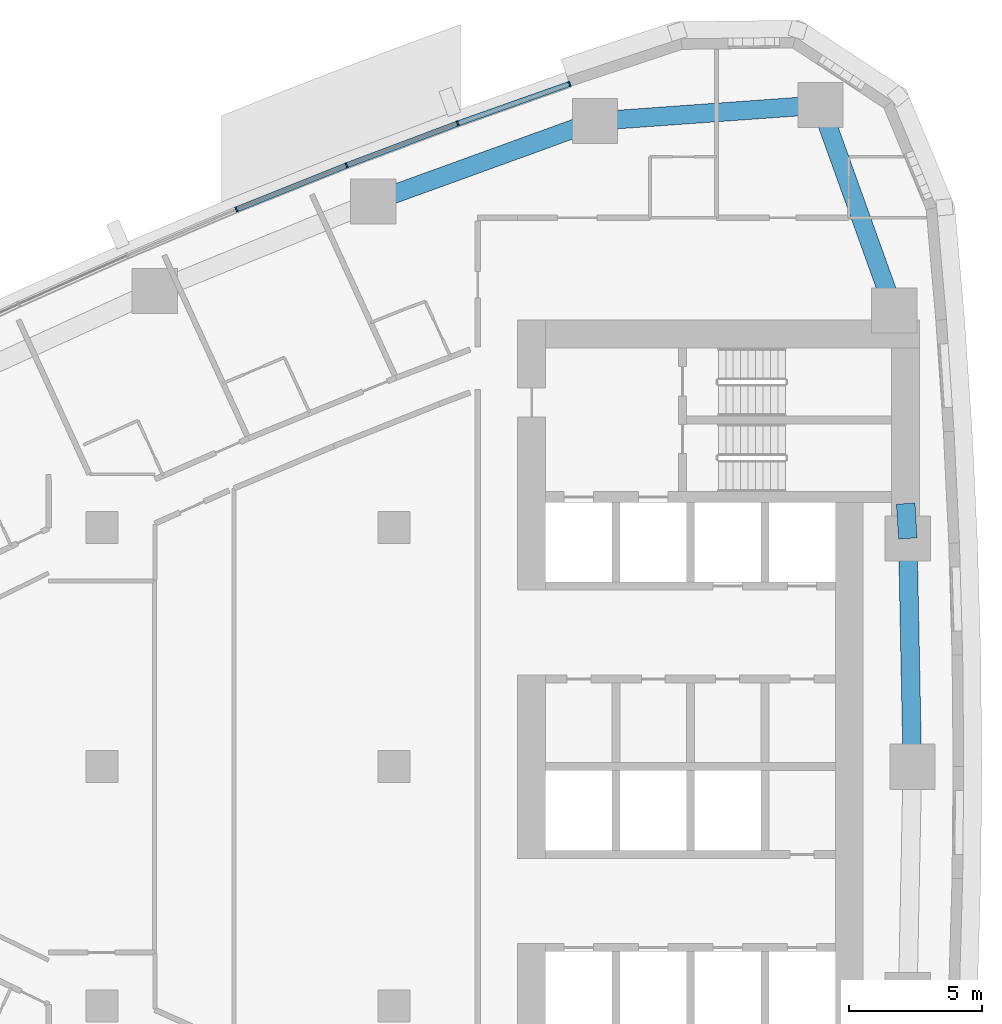
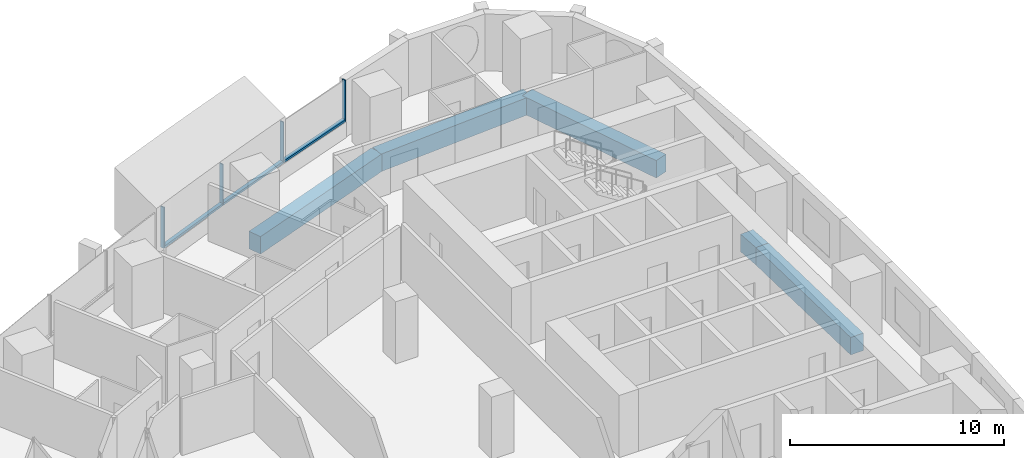
# One storey, part 6 of 17: 7 members, 5 beams, 2 elements without a shape of their own.
"""IFC4 building model written with IfcOpenShell, lengths in metres."""

from ifc_helpers import new_model, si_unit, direction, frame, origin, origin_2d, place, context, subcontext, project, spatial, rectangle, extrude, material, layer, layer_set, material_profile, profile_set, type_object, element, aggregate, save


model = new_model("IFC4")

# Units and contexts
model_context = context("Model", 3, precision=1e-05, world=origin(), true_north=direction((0.0, 1.0)))
body_context = subcontext(model_context, "Body", "Model", "MODEL_VIEW")
ifc_project = project(units=[si_unit("LENGTHUNIT", "METRE"), si_unit("AREAUNIT", "SQUARE_METRE"), si_unit("VOLUMEUNIT", "CUBIC_METRE"), si_unit("PLANEANGLEUNIT", "RADIAN"), si_unit("MASSUNIT", "GRAM", prefix="KILO")], contexts=[model_context])

# Site, building, storey
site_placement = place(None, origin())
site = spatial("IfcSite", under=ifc_project, at=site_placement, CompositionType="ELEMENT")
building_placement = place(site_placement, origin())
building = spatial("IfcBuilding", under=site, at=building_placement, Name="Ostrand Prow Hotel Tower", CompositionType="ELEMENT")
storey_placement = place(building_placement, frame((0.0, 0.0, 106.199951171875)))
storey = spatial("IfcBuildingStorey", under=building, at=storey_placement, Name="L25", CompositionType="ELEMENT", Elevation=106.199951171875)

# Beams
ifc_material_1 = material(Name="Concrete C80/95", Category="concrete")
ifc_material_profile_1 = material_profile(ifc_material_1, rectangle(XDim=0.699951171875, YDim=1.0, at=origin_2d()), Name="RC 700x1000")
ifc_profile_set_1 = profile_set([ifc_material_profile_1], Name="Concrete C80/95")
beam_type = type_object("IfcBeamType", Name="Edge beam 700x1000 C80/95", PredefinedType="SPANDREL", material=ifc_profile_set_1)
beam_1_placement = place(storey_placement, frame((64.5, 0.0, -0.800048828125), z_axis=(-0.019922705812, 0.9998015232, 0.0), x_axis=(-0.9998015232, -0.019922705812, 0.0)))
element("IfcBeam", 1, at=beam_1_placement, inside=storey, type_object=beam_type, Name="Edge beam B3-B4", PredefinedType="SPANDREL", context=body_context, shape_type="SweptSolid", body=[
    extrude(rectangle(XDim=0.699951171875, YDim=1.0, at=origin_2d()), origin(), (0.0, 0.0, 1.0), 8.59033203125),
])
beam_2_placement = place(storey_placement, frame((64.328857421875, 8.588623046875, -0.800048828125), z_axis=(-0.059658953766, 0.998218818314, 0.0), x_axis=(-0.998218818314, -0.059658953766, 0.0)))
element("IfcBeam", 2, at=beam_2_placement, inside=storey, type_object=beam_type, Name="Edge beam B4-B5", PredefinedType="SPANDREL", context=body_context, shape_type="SweptSolid", body=[
    extrude(rectangle(XDim=0.699951171875, YDim=1.0, at=origin_2d()), origin(), (0.0, 0.0, 1.0), 1.313720703125),
])
beam_3_placement = place(storey_placement, frame((63.815673828125, 17.16357421875, -0.800048828125), z_axis=(-0.337815484063, 0.941212355809, 0.0), x_axis=(-0.941212355809, -0.337815484063, 0.0)))
element("IfcBeam", 3, at=beam_3_placement, inside=storey, type_object=beam_type, Name="Edge beam B5-NE", PredefinedType="SPANDREL", context=body_context, shape_type="SweptSolid", body=[
    extrude(rectangle(XDim=0.699951171875, YDim=1.0, at=origin_2d()), origin(), (0.0, 0.0, 1.0), 8.21630859375),
])
beam_4_placement = place(storey_placement, frame((61.0400390625, 24.89697265625, -0.800048828125), z_axis=(-0.99747195063, -0.071061295414, 0.0), x_axis=(0.071061295414, -0.99747195063, 0.0)))
element("IfcBeam", 4, at=beam_4_placement, inside=storey, type_object=beam_type, Name="Edge beam NE-N1", PredefinedType="SPANDREL", context=body_context, shape_type="SweptSolid", body=[
    extrude(rectangle(XDim=0.699951171875, YDim=1.0, at=origin_2d()), origin(), (0.0, 0.0, 1.0), 8.499755859375),
])
beam_5_placement = place(storey_placement, frame((52.561767578125, 24.29296875, -0.800048828125), z_axis=(-0.940062739321, -0.341001533927, 0.0), x_axis=(0.341001533927, -0.940062739321, 0.0)))
element("IfcBeam", 5, at=beam_5_placement, inside=storey, type_object=beam_type, Name="Edge beam N1-N2", PredefinedType="SPANDREL", context=body_context, shape_type="SweptSolid", body=[
    extrude(rectangle(XDim=0.699951171875, YDim=1.0, at=origin_2d()), origin(), (0.0, 0.0, 1.0), 8.883544921875),
])

# Curtain wall, members
ifc_material_2 = material(Name="Insulated glass in bronze anodised frame", Category="glass")
ifc_layer = layer(ifc_material_2, 0.199951171875)
ifc_layer_set = layer_set([ifc_layer], Name="Insulated glass in bronze anodised frame")
curtain_wall_type = type_object("IfcCurtainWallType", Name="Strip curtain wall, fritted glass over bronze spandrel", PredefinedType="NOTDEFINED", material=ifc_layer_set)
curtain_wall_1_placement = place(storey_placement, origin())
curtain_wall_1 = element("IfcCurtainWall", 6, at=curtain_wall_1_placement, inside=storey, type_object=curtain_wall_type, Name="CW1 run CWN1", PredefinedType="NOTDEFINED")
ifc_material_3 = material(Name="Bronze anodised aluminium", Category="aluminium")
ifc_material_profile_2 = material_profile(ifc_material_3, rectangle(XDim=0.199951171875, YDim=0.06005859375, at=origin_2d()), Name="Mullion 60x200 bronze anodised aluminium")
ifc_profile_set_2 = profile_set([ifc_material_profile_2], Name="Bronze anodised aluminium")
member_type_1 = type_object("IfcMemberType", Name="Mullion 60x200 bronze anodised aluminium", PredefinedType="MULLION", material=ifc_profile_set_2)
member_1_placement = place(storey_placement, frame((51.601318359375, 25.692138671875, 0.900146484375), z_axis=(0.0, 0.0, 1.0), x_axis=(0.333495894542, -0.942751551748, 0.0)))
member_1 = element("IfcMember", 7, at=member_1_placement, type_object=member_type_1, Name="CW1 mullion 1", PredefinedType="MULLION", context=body_context, shape_type="SweptSolid", body=[
    extrude(rectangle(XDim=0.199951171875, YDim=0.06005859375, at=origin_2d()), origin(), (0.0, 0.0, 1.0), 2.349853515625),
])
member_2_placement = place(storey_placement, frame((47.390869140625, 24.202880859375, 0.900146484375), z_axis=(0.0, 0.0, 1.0), x_axis=(0.35230885193, -0.935883792387, 0.0)))
member_2 = element("IfcMember", 8, at=member_2_placement, type_object=member_type_1, Name="CW1 mullion 2", PredefinedType="MULLION", context=body_context, shape_type="SweptSolid", body=[
    extrude(rectangle(XDim=0.199951171875, YDim=0.06005859375, at=origin_2d()), origin(), (0.0, 0.0, 1.0), 2.349853515625),
])
member_3_placement = place(storey_placement, frame((43.211181640625, 22.62939453125, 0.900146484375), z_axis=(0.0, 0.0, 1.0), x_axis=(0.35230885193, -0.935883792387, 0.0)))
member_3 = element("IfcMember", 9, at=member_3_placement, type_object=member_type_1, Name="CW1 mullion 3", PredefinedType="MULLION", context=body_context, shape_type="SweptSolid", body=[
    extrude(rectangle(XDim=0.199951171875, YDim=0.06005859375, at=origin_2d()), origin(), (0.0, 0.0, 1.0), 2.349853515625),
])

# Curtain wall, member
curtain_wall_2_placement = place(storey_placement, origin())
curtain_wall_2 = element("IfcCurtainWall", 10, at=curtain_wall_2_placement, inside=storey, type_object=curtain_wall_type, Name="CW1 run CWN2", PredefinedType="NOTDEFINED")
member_4_placement = place(storey_placement, frame((39.06396484375, 20.97265625, 0.900146484375), z_axis=(0.0, 0.0, 1.0), x_axis=(0.389506566255, -0.921023688536, 0.0)))
member_4 = element("IfcMember", 11, at=member_4_placement, type_object=member_type_1, Name="CW1 mullion 2", PredefinedType="MULLION", context=body_context, shape_type="SweptSolid", body=[
    extrude(rectangle(XDim=0.199951171875, YDim=0.06005859375, at=origin_2d()), origin(), (0.0, 0.0, 1.0), 2.349853515625),
])

# Member
ifc_material_4 = material(Name="Bronze anodised aluminium", Category="aluminium")
ifc_material_profile_3 = material_profile(ifc_material_4, rectangle(XDim=0.199951171875, YDim=0.1201171875, at=origin_2d()), Name="Transom 120x200 bronze anodised aluminium")
ifc_profile_set_3 = profile_set([ifc_material_profile_3], Name="Bronze anodised aluminium")
member_type_2 = type_object("IfcMemberType", Name="Transom 120x200 bronze anodised aluminium", PredefinedType="USERDEFINED", material=ifc_profile_set_3)
member_5_placement = place(storey_placement, frame((51.572998046875, 25.68212890625, 0.9599609375), z_axis=(-0.942763014139, -0.333463490013, 0.0), x_axis=(0.333463490013, -0.942763014139, 0.0)))
member_5 = element("IfcMember", 12, at=member_5_placement, type_object=member_type_2, Name="CW1 transom 1.1", ObjectType="TRANSOM", PredefinedType="USERDEFINED", context=body_context, shape_type="SweptSolid", body=[
    extrude(rectangle(XDim=0.199951171875, YDim=0.1201171875, at=origin_2d()), origin(), (0.0, 0.0, 1.0), 4.406005859375),
])

member_6_placement = place(storey_placement, frame((47.36279296875, 24.1923828125, 0.9599609375), z_axis=(-0.935868398429, -0.352349742191, 0.0), x_axis=(0.352349742191, -0.935868398429, 0.0)))
member_6 = element("IfcMember", 13, at=member_6_placement, type_object=member_type_2, Name="CW1 transom 2.1", ObjectType="TRANSOM", PredefinedType="USERDEFINED", context=body_context, shape_type="SweptSolid", body=[
    extrude(rectangle(XDim=0.199951171875, YDim=0.1201171875, at=origin_2d()), origin(), (0.0, 0.0, 1.0), 4.406005859375),
])

aggregate(curtain_wall_1, [member_1, member_2, member_3, member_5, member_6])

member_7_placement = place(storey_placement, frame((43.183349609375, 22.618408203125, 0.9599609375), z_axis=(-0.928621833209, -0.371027614724, 0.0), x_axis=(0.371027614724, -0.928621833209, 0.0)))
member_7 = element("IfcMember", 14, at=member_7_placement, type_object=member_type_2, Name="CW1 transom 1.1", ObjectType="TRANSOM", PredefinedType="USERDEFINED", context=body_context, shape_type="SweptSolid", body=[
    extrude(rectangle(XDim=0.199951171875, YDim=0.1201171875, at=origin_2d()), origin(), (0.0, 0.0, 1.0), 4.406005859375),
])

aggregate(curtain_wall_2, [member_4, member_7])

save(model, "model.ifc")
